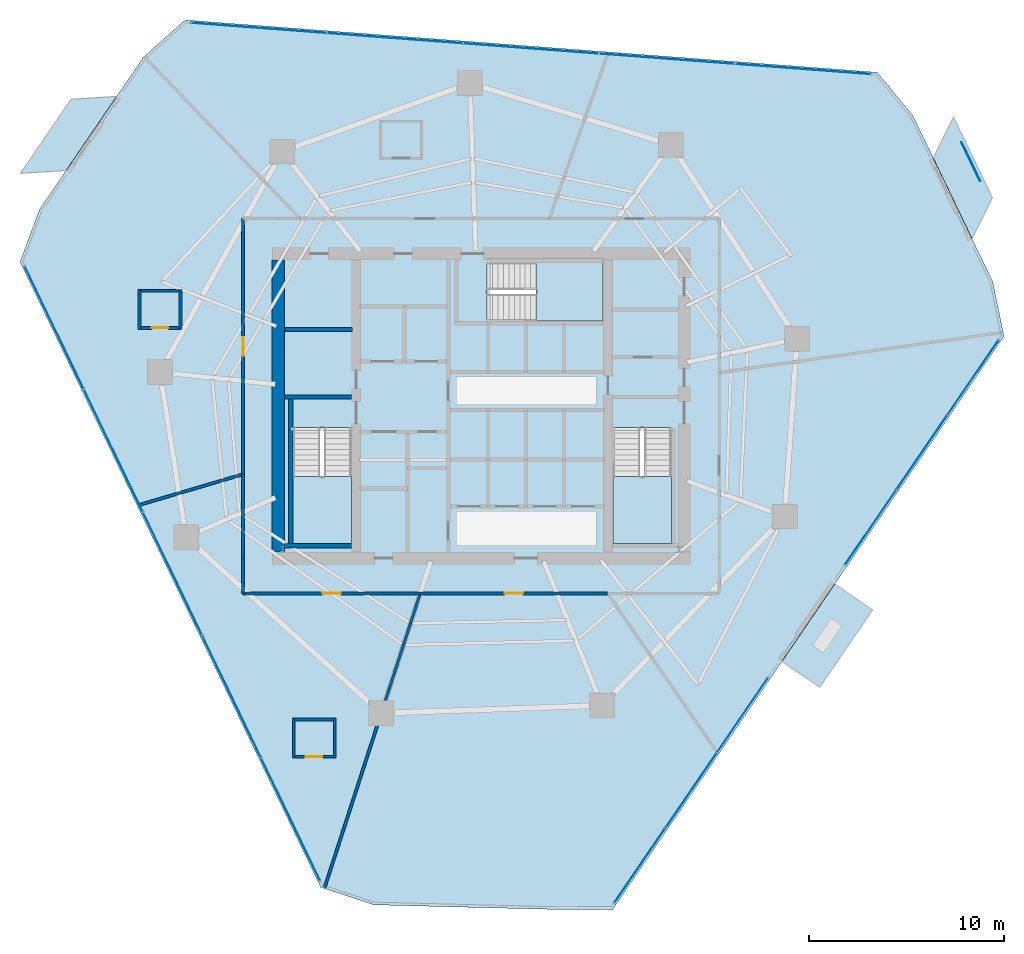
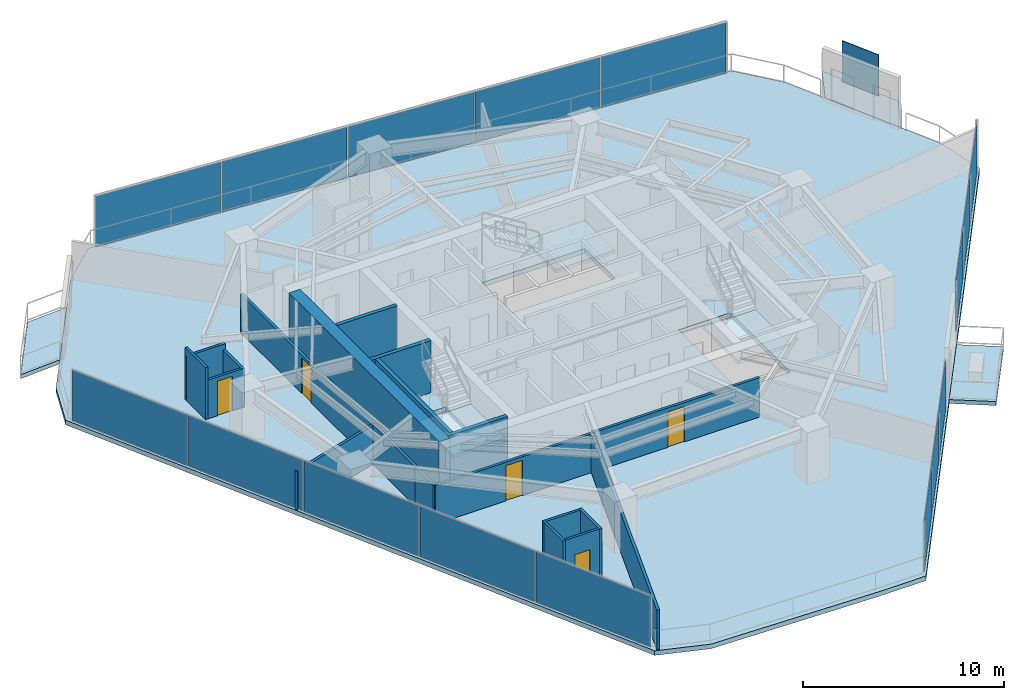
# One storey, part 25 of 30: 20 walls, 17 plates, 7 slabs, 5 doors, 5 openings, 7 elements without a shape of their own.
"""IFC4 building model written with IfcOpenShell, lengths in metres."""

from ifc_helpers import new_model, si_unit, direction, frame, frame_2d, origin, origin_2d, place, context, subcontext, project, spatial, polyline, rectangle, outline, extrude, material, layer, layer_set, type_object, element, fill, aggregate, save


model = new_model("IFC4")

# Units and contexts
model_context = context("Model", 3, precision=1e-05, world=origin(), true_north=direction((0.0, 1.0)))
body_context = subcontext(model_context, "Body", "Model", "MODEL_VIEW")
ifc_project = project(units=[si_unit("LENGTHUNIT", "METRE"), si_unit("AREAUNIT", "SQUARE_METRE"), si_unit("VOLUMEUNIT", "CUBIC_METRE"), si_unit("PLANEANGLEUNIT", "RADIAN"), si_unit("MASSUNIT", "GRAM", prefix="KILO")], contexts=[model_context])

# Site, building, storey
site_placement = place(None, origin())
site = spatial("IfcSite", under=ifc_project, at=site_placement, CompositionType="ELEMENT")
building_placement = place(site_placement, origin())
building = spatial("IfcBuilding", under=site, at=building_placement, Name="Qarnah Convention Tower", CompositionType="ELEMENT")
storey_placement = place(building_placement, frame((0.0, 0.0, 51.14990234375)))
storey = spatial("IfcBuildingStorey", under=building, at=storey_placement, Name="L12", CompositionType="ELEMENT", Elevation=51.14990234375)

# Curtain wall, plates
ifc_material_1 = material(Name="Tempered Low-E dark glass", Category="glass")
ifc_layer_1 = layer(ifc_material_1, 0.16796875)
ifc_layer_set_1 = layer_set([ifc_layer_1], Name="Tempered Low-E dark glass")
curtain_wall_type = type_object("IfcCurtainWallType", Name="CWS-01", PredefinedType="NOTDEFINED", material=ifc_layer_set_1)
curtain_wall_1_placement = place(storey_placement, origin())
curtain_wall_1 = element("IfcCurtainWall", 1, at=curtain_wall_1_placement, inside=storey, type_object=curtain_wall_type, Name="L12 unitised curtain wall CW-L12-F1", PredefinedType="NOTDEFINED")
ifc_layer_2 = layer(ifc_material_1, 0.028076171875)
ifc_layer_set_2 = layer_set([ifc_layer_2], Name="Tempered Low-E dark glass")
plate_type_1 = type_object("IfcPlateType", Name="PNL-T1", PredefinedType="CURTAIN_PANEL", material=ifc_layer_set_2)
plate_1_placement = place(storey_placement, frame((27.443115234375, 5.21240234375, 0.0400390625), z_axis=(0.0, 0.0, 1.0), x_axis=(-0.433348502492, 0.901226428479, 0.0)))
plate_1 = element("IfcPlate", 2, at=plate_1_placement, type_object=plate_type_1, Name="CW-L12-F1 curtain panel 1.1", PredefinedType="CURTAIN_PANEL", context=body_context, shape_type="SweptSolid", body=[
    extrude(rectangle(XDim=6.9111328125, YDim=0.028076171875, at=origin_2d()), origin(), (0.0, 0.0, 1.0), 3.090087890625),
])
plate_2_placement = place(storey_placement, frame((24.41357421875, 11.512939453125, 0.0400390625), z_axis=(0.0, 0.0, 1.0), x_axis=(-0.433348502492, 0.901226428479, 0.0)))
plate_2 = element("IfcPlate", 3, at=plate_2_placement, type_object=plate_type_1, Name="CW-L12-F1 curtain panel 2.1", PredefinedType="CURTAIN_PANEL", context=body_context, shape_type="SweptSolid", body=[
    extrude(rectangle(XDim=6.9111328125, YDim=0.028076171875, at=origin_2d()), origin(), (0.0, 0.0, 1.0), 3.090087890625),
])
plate_3_placement = place(storey_placement, frame((21.384033203125, 17.8134765625, 0.0400390625), z_axis=(0.0, 0.0, 1.0), x_axis=(-0.433348502492, 0.901226428479, 0.0)))
plate_3 = element("IfcPlate", 4, at=plate_3_placement, type_object=plate_type_1, Name="CW-L12-F1 curtain panel 3.1", PredefinedType="CURTAIN_PANEL", context=body_context, shape_type="SweptSolid", body=[
    extrude(rectangle(XDim=6.9111328125, YDim=0.028076171875, at=origin_2d()), origin(), (0.0, 0.0, 1.0), 3.090087890625),
])
plate_4_placement = place(storey_placement, frame((18.3544921875, 24.114013671875, 0.0400390625), z_axis=(0.0, 0.0, 1.0), x_axis=(-0.433348502492, 0.901226428479, 0.0)))
plate_4 = element("IfcPlate", 5, at=plate_4_placement, type_object=plate_type_1, Name="CW-L12-F1 curtain panel 4.1", PredefinedType="CURTAIN_PANEL", context=body_context, shape_type="SweptSolid", body=[
    extrude(rectangle(XDim=6.9111328125, YDim=0.028076171875, at=origin_2d()), origin(), (0.0, 0.0, 1.0), 3.090087890625),
])
plate_5_placement = place(storey_placement, frame((15.32470703125, 30.414794921875, 0.0400390625), z_axis=(0.0, 0.0, 1.0), x_axis=(-0.433348502492, 0.901226428479, 0.0)))
plate_5 = element("IfcPlate", 6, at=plate_5_placement, type_object=plate_type_1, Name="CW-L12-F1 curtain panel 5.1", PredefinedType="CURTAIN_PANEL", context=body_context, shape_type="SweptSolid", body=[
    extrude(rectangle(XDim=6.9111328125, YDim=0.028076171875, at=origin_2d()), origin(), (0.0, 0.0, 1.0), 3.090087890625),
])
aggregate(curtain_wall_1, [plate_1, plate_2, plate_3, plate_4, plate_5])

curtain_wall_2_placement = place(storey_placement, origin())
curtain_wall_2 = element("IfcCurtainWall", 7, at=curtain_wall_2_placement, inside=storey, type_object=curtain_wall_type, Name="L12 unitised curtain wall CW-L12-F2", PredefinedType="NOTDEFINED")
plate_6_placement = place(storey_placement, frame((25.8095703125, 45.772705078125, 0.0400390625), z_axis=(0.0, 0.0, 1.0), x_axis=(0.997159055393, -0.07532475189, 0.0)))
plate_6 = element("IfcPlate", 8, at=plate_6_placement, type_object=plate_type_1, Name="CW-L12-F2 curtain panel 1.1", PredefinedType="CURTAIN_PANEL", context=body_context, shape_type="SweptSolid", body=[
    extrude(rectangle(XDim=6.9111328125, YDim=0.028076171875, at=origin_2d()), origin(), (0.0, 0.0, 1.0), 3.090087890625),
])
plate_7_placement = place(storey_placement, frame((32.78076171875, 45.24609375, 0.0400390625), z_axis=(0.0, 0.0, 1.0), x_axis=(0.997159055393, -0.07532475189, 0.0)))
plate_7 = element("IfcPlate", 9, at=plate_7_placement, type_object=plate_type_1, Name="CW-L12-F2 curtain panel 2.1", PredefinedType="CURTAIN_PANEL", context=body_context, shape_type="SweptSolid", body=[
    extrude(rectangle(XDim=6.9111328125, YDim=0.028076171875, at=origin_2d()), origin(), (0.0, 0.0, 1.0), 3.090087890625),
])
plate_8_placement = place(storey_placement, frame((39.751953125, 44.719482421875, 0.0400390625), z_axis=(0.0, 0.0, 1.0), x_axis=(0.997159055393, -0.07532475189, 0.0)))
plate_8 = element("IfcPlate", 10, at=plate_8_placement, type_object=plate_type_1, Name="CW-L12-F2 curtain panel 3.1", PredefinedType="CURTAIN_PANEL", context=body_context, shape_type="SweptSolid", body=[
    extrude(rectangle(XDim=6.9111328125, YDim=0.028076171875, at=origin_2d()), origin(), (0.0, 0.0, 1.0), 3.090087890625),
])
plate_9_placement = place(storey_placement, frame((46.72314453125, 44.19287109375, 0.0400390625), z_axis=(0.0, 0.0, 1.0), x_axis=(0.997159055393, -0.07532475189, 0.0)))
plate_9 = element("IfcPlate", 11, at=plate_9_placement, type_object=plate_type_1, Name="CW-L12-F2 curtain panel 4.1", PredefinedType="CURTAIN_PANEL", context=body_context, shape_type="SweptSolid", body=[
    extrude(rectangle(XDim=6.9111328125, YDim=0.028076171875, at=origin_2d()), origin(), (0.0, 0.0, 1.0), 3.090087890625),
])
plate_10_placement = place(storey_placement, frame((53.6943359375, 43.666259765625, 0.0400390625), z_axis=(0.0, 0.0, 1.0), x_axis=(0.997159055393, -0.07532475189, 0.0)))
plate_10 = element("IfcPlate", 12, at=plate_10_placement, type_object=plate_type_1, Name="CW-L12-F2 curtain panel 5.1", PredefinedType="CURTAIN_PANEL", context=body_context, shape_type="SweptSolid", body=[
    extrude(rectangle(XDim=6.9111328125, YDim=0.028076171875, at=origin_2d()), origin(), (0.0, 0.0, 1.0), 3.090087890625),
])
aggregate(curtain_wall_2, [plate_6, plate_7, plate_8, plate_9, plate_10])

curtain_wall_3_placement = place(storey_placement, origin())
curtain_wall_3 = element("IfcCurtainWall", 13, at=curtain_wall_3_placement, inside=storey, type_object=curtain_wall_type, Name="L12 unitised curtain wall CW-L12-F3", PredefinedType="NOTDEFINED")
plate_11_placement = place(storey_placement, frame((62.408447265625, 27.868408203125, 0.0400390625), z_axis=(0.0, 0.0, 1.0), x_axis=(-0.563837988353, -0.825885417531, 0.0)))
plate_11 = element("IfcPlate", 14, at=plate_11_placement, type_object=plate_type_1, Name="CW-L12-F3 curtain panel 1.1", PredefinedType="CURTAIN_PANEL", context=body_context, shape_type="SweptSolid", body=[
    extrude(rectangle(XDim=4.583251953125, YDim=0.028076171875, at=origin_2d()), origin(), (0.0, 0.0, 1.0), 3.090087890625),
])
plate_12_placement = place(storey_placement, frame((59.779052734375, 24.01708984375, 0.0400390625), z_axis=(0.0, 0.0, 1.0), x_axis=(-0.563837988353, -0.825885417531, 0.0)))
plate_12 = element("IfcPlate", 15, at=plate_12_placement, type_object=plate_type_1, Name="CW-L12-F3 curtain panel 2.1", PredefinedType="CURTAIN_PANEL", context=body_context, shape_type="SweptSolid", body=[
    extrude(rectangle(XDim=4.583251953125, YDim=0.028076171875, at=origin_2d()), origin(), (0.0, 0.0, 1.0), 3.090087890625),
])
plate_13_placement = place(storey_placement, frame((57.149658203125, 20.165771484375, 0.0400390625), z_axis=(0.0, 0.0, 1.0), x_axis=(-0.563837988353, -0.825885417531, 0.0)))
plate_13 = element("IfcPlate", 16, at=plate_13_placement, type_object=plate_type_1, Name="CW-L12-F3 curtain panel 3.1", PredefinedType="CURTAIN_PANEL", context=body_context, shape_type="SweptSolid", body=[
    extrude(rectangle(XDim=4.583251953125, YDim=0.028076171875, at=origin_2d()), origin(), (0.0, 0.0, 1.0), 3.090087890625),
])
aggregate(curtain_wall_3, [plate_11, plate_12, plate_13])

curtain_wall_4_placement = place(storey_placement, origin())
curtain_wall_4 = element("IfcCurtainWall", 17, at=curtain_wall_4_placement, inside=storey, type_object=curtain_wall_type, Name="L12 unitised curtain wall CW-L12-F4", PredefinedType="NOTDEFINED")
plate_14_placement = place(storey_placement, frame((50.58837890625, 10.55419921875, 0.0400390625), z_axis=(0.0, 0.0, 1.0), x_axis=(-0.563804705, -0.825908139335, 0.0)))
plate_14 = element("IfcPlate", 18, at=plate_14_placement, type_object=plate_type_1, Name="CW-L12-F4 curtain panel 1.1", PredefinedType="CURTAIN_PANEL", context=body_context, shape_type="SweptSolid", body=[
    extrude(rectangle(XDim=4.58349609375, YDim=0.028076171875, at=origin_2d()), origin(), (0.0, 0.0, 1.0), 3.090087890625),
])
plate_15_placement = place(storey_placement, frame((47.958984375, 6.702392578125, 0.0400390625), z_axis=(0.0, 0.0, 1.0), x_axis=(-0.563804705, -0.825908139335, 0.0)))
plate_15 = element("IfcPlate", 19, at=plate_15_placement, type_object=plate_type_1, Name="CW-L12-F4 curtain panel 2.1", PredefinedType="CURTAIN_PANEL", context=body_context, shape_type="SweptSolid", body=[
    extrude(rectangle(XDim=4.58349609375, YDim=0.028076171875, at=origin_2d()), origin(), (0.0, 0.0, 1.0), 3.090087890625),
])
plate_16_placement = place(storey_placement, frame((45.32958984375, 2.850830078125, 0.0400390625), z_axis=(0.0, 0.0, 1.0), x_axis=(-0.563804705, -0.825908139335, 0.0)))
plate_16 = element("IfcPlate", 20, at=plate_16_placement, type_object=plate_type_1, Name="CW-L12-F4 curtain panel 3.1", PredefinedType="CURTAIN_PANEL", context=body_context, shape_type="SweptSolid", body=[
    extrude(rectangle(XDim=4.58349609375, YDim=0.028076171875, at=origin_2d()), origin(), (0.0, 0.0, 1.0), 3.090087890625),
])
aggregate(curtain_wall_4, [plate_14, plate_15, plate_16])

# Plate
ifc_material_2 = material(Name="Black anodised aluminium", Category="aluminium")
ifc_layer_3 = layer(ifc_material_2, 0.044921875)
ifc_layer_set_3 = layer_set([ifc_layer_3], Name="Black anodised aluminium")
plate_type_2 = type_object("IfcPlateType", Name="SCR-BAL-18", PredefinedType="USERDEFINED", material=ifc_layer_set_3)
plate_17_placement = place(storey_placement, frame((62.294921875, 38.924072265625, 0.0), z_axis=(0.0, 0.0, 1.0), x_axis=(0.433508101597, -0.901149668951, 0.0)))
element("IfcPlate", 21, at=plate_17_placement, inside=storey, type_object=plate_type_2, Name="L12 perforated desert solar screen BAL-L12-C1", ObjectType="SCREEN", PredefinedType="USERDEFINED", context=body_context, shape_type="SweptSolid", body=[
    extrude(rectangle(XDim=2.199951171875, YDim=0.044921875, at=origin_2d()), origin(), (0.0, 0.0, 1.0), 2.5),
])

# Slabs
ifc_material_3 = material(Name="Concrete C45/55", Category="concrete")
ifc_layer_4 = layer(ifc_material_3, 0.239990234375)
ifc_layer_set_4 = layer_set([ifc_layer_4], Name="Concrete C45/55")
slab_type_1 = type_object("IfcSlabType", Name="SLB-BAL-240", PredefinedType="USERDEFINED", material=ifc_layer_set_4)
slab_1_placement = place(storey_placement, frame((0.0, 0.0, -0.239990234375)))
element("IfcSlab", 22, at=slab_1_placement, inside=storey, type_object=slab_type_1, Name="L12 cantilevered balcony slab BAL-L12-C1", ObjectType="BALCONY", PredefinedType="USERDEFINED", context=body_context, shape_type="SweptSolid", body=[
    extrude(outline(polyline([(61.404052734375, 41.2119140625), (63.39794921875, 37.06689453125), (62.35791015625, 34.962890625), (60.364013671875, 39.10888671875), (61.404052734375, 41.2119140625)])), origin(), (0.0, 0.0, 1.0), 0.239990234375),
])
slab_2_placement = place(storey_placement, frame((0.0, 0.0, -0.239990234375)))
element("IfcSlab", 23, at=slab_2_placement, inside=storey, type_object=slab_type_1, Name="L12 cantilevered balcony slab BAL-L12-C2", ObjectType="BALCONY", PredefinedType="USERDEFINED", context=body_context, shape_type="SweptSolid", body=[
    extrude(outline(polyline([(13.594970703125, 38.318115234375), (16.18798828125, 42.116943359375), (18.530029296875, 42.26806640625), (15.93603515625, 38.468994140625), (13.594970703125, 38.318115234375)])), origin(), (0.0, 0.0, 1.0), 0.239990234375),
])
slab_3_placement = place(storey_placement, frame((0.0, 0.0, -0.239990234375)))
element("IfcSlab", 24, at=slab_3_placement, inside=storey, type_object=slab_type_1, Name="L12 cantilevered balcony slab VN-L12", ObjectType="BALCONY", PredefinedType="USERDEFINED", context=body_context, shape_type="SweptSolid", body=[
    extrude(outline(polyline([(55.318115234375, 17.27587890625), (57.259033203125, 15.950927734375), (54.552001953125, 11.987060546875), (52.612060546875, 13.31201171875), (55.318115234375, 17.27587890625)])), origin(), (0.0, 0.0, 1.0), 0.239990234375),
])

# Stair, slab
ifc_material_4 = material(Name="Concrete C50/60", Category="concrete")
stair_type = type_object("IfcStairType", Name="STR-HTL", PredefinedType="HALF_TURN_STAIR", material=ifc_material_4)
stair_1_placement = place(storey_placement, origin())
stair_1 = element("IfcStair", 25, at=stair_1_placement, inside=storey, type_object=stair_type, Name="L12 Core exit stair ST-1", PredefinedType="HALF_TURN_STAIR")
ifc_layer_5 = layer(ifc_material_4, 0.199951171875)
ifc_layer_set_5 = layer_set([ifc_layer_5], Name="Concrete C50/60")
slab_type_2 = type_object("IfcSlabType", Name="SLB-LANDING-200", PredefinedType="LANDING", material=ifc_layer_set_5)
slab_4_placement = place(storey_placement, frame((0.0, 0.0, 1.525146484375)))
slab_4 = element("IfcSlab", 26, at=slab_4_placement, type_object=slab_type_2, Name="ST-1 landing 1", PredefinedType="LANDING", context=body_context, shape_type="SweptSolid", body=[
    extrude(outline(polyline([(27.550048828125, 22.780029296875), (27.550048828125, 19.35009765625), (30.550048828125, 19.35009765625), (30.550048828125, 22.780029296875), (27.550048828125, 22.780029296875)])), origin(), (0.0, 0.0, 1.0), 0.199951171875),
])
aggregate(stair_1, [slab_4])

stair_2_placement = place(storey_placement, origin())
stair_2 = element("IfcStair", 27, at=stair_2_placement, inside=storey, type_object=stair_type, Name="L12 Core exit stair ST-2", PredefinedType="HALF_TURN_STAIR")
slab_5_placement = place(storey_placement, frame((0.0, 0.0, 1.525146484375)))
slab_5 = element("IfcSlab", 28, at=slab_5_placement, type_object=slab_type_2, Name="ST-2 landing 1", PredefinedType="LANDING", context=body_context, shape_type="SweptSolid", body=[
    extrude(outline(polyline([(43.949951171875, 22.780029296875), (43.949951171875, 19.35009765625), (46.949951171875, 19.35009765625), (46.949951171875, 22.780029296875), (43.949951171875, 22.780029296875)])), origin(), (0.0, 0.0, 1.0), 0.199951171875),
])
aggregate(stair_2, [slab_5])

stair_3_placement = place(storey_placement, origin())
stair_3 = element("IfcStair", 29, at=stair_3_placement, inside=storey, type_object=stair_type, Name="L12 Core exit stair ST-3", PredefinedType="HALF_TURN_STAIR")
slab_6_placement = place(storey_placement, frame((0.0, 0.0, 1.525146484375)))
slab_6 = element("IfcSlab", 30, at=slab_6_placement, type_object=slab_type_2, Name="ST-3 landing 1", PredefinedType="LANDING", context=body_context, shape_type="SweptSolid", body=[
    extrude(outline(polyline([(40.02001953125, 30.75), (43.449951171875, 30.75), (43.449951171875, 33.75), (40.02001953125, 33.75), (40.02001953125, 30.75)])), origin(), (0.0, 0.0, 1.0), 0.199951171875),
])
aggregate(stair_3, [slab_6])

# Slab
ifc_layer_6 = layer(ifc_material_3, 0.280029296875)
ifc_layer_set_6 = layer_set([ifc_layer_6], Name="Concrete C45/55")
slab_type_3 = type_object("IfcSlabType", Name="SLB-TWR-280", PredefinedType="FLOOR", material=ifc_layer_set_6)
slab_7_placement = place(storey_placement, frame((0.0, 0.0, -0.27978515625)))
element("IfcSlab", 31, at=slab_7_placement, inside=storey, type_object=slab_type_3, Name="L12 structural floor slab", PredefinedType="FLOOR", context=body_context, shape_type="SweptSolid", body=[
    extrude(outline(polyline([(57.488037109375, 43.5), (22.033935546875, 46.177978515625), (19.89306640625, 44.27099609375), (14.568115234375, 36.471923828125), (13.572021484375, 33.782958984375), (28.97998046875, 1.739990234375), (31.701904296875, 0.839111328125), (41.118896484375, 0.60009765625), (43.945068359375, 0.610107421875), (63.990966796875, 29.97412109375), (63.410888671875, 32.781982421875), (59.318115234375, 41.29296875), (57.488037109375, 43.5)]), holes=[polyline([(27.550048828125, 25.300048828125), (27.550048828125, 19.35009765625), (30.550048828125, 19.35009765625), (30.550048828125, 25.300048828125), (27.550048828125, 25.300048828125)]), polyline([(43.949951171875, 25.300048828125), (43.949951171875, 19.35009765625), (46.949951171875, 19.35009765625), (46.949951171875, 25.300048828125), (43.949951171875, 25.300048828125)]), polyline([(37.5, 30.75), (43.449951171875, 30.75), (43.449951171875, 33.75), (37.5, 33.75), (37.5, 30.75)])]), origin(), (0.0, 0.0, 1.0), 0.27978515625),
])

# Walls
ifc_material_5 = material(Name="Concrete C60/75", Category="concrete")
ifc_layer_7 = layer(ifc_material_5, 0.64990234375)
ifc_layer_set_7 = layer_set([ifc_layer_7], Name="Concrete C60/75")
wall_type_1 = type_object("IfcWallType", Name="WL-CORE-650", PredefinedType="SHEAR", material=ifc_layer_set_7)
wall_1_placement = place(storey_placement, frame((26.800048828125, 18.925048828125, 0.0), z_axis=(0.0, 0.0, 1.0), x_axis=(0.0, 1.0, 0.0)))
element("IfcWall", 32, at=wall_1_placement, inside=storey, type_object=wall_type_1, Name="L12 core west shear wall", PredefinedType="SHEAR", context=body_context, shape_type="SweptSolid", body=[
    extrude(rectangle(XDim=14.949951171875, YDim=0.64990234375, at=frame_2d((7.47509765625, 0.0))), origin(), (0.0, 0.0, 1.0), 3.170166015625),
])
ifc_layer_8 = layer(ifc_material_3, 0.199951171875)
ifc_layer_set_8 = layer_set([ifc_layer_8], Name="Concrete C45/55")
wall_type_2 = type_object("IfcWallType", Name="WL-CORE-PART-200", PredefinedType="SOLIDWALL", material=ifc_layer_set_8)
wall_2_placement = place(storey_placement, frame((27.14990234375, 30.320068359375, 0.0), z_axis=(0.0, 0.0, 1.0), x_axis=(1.0, 0.0, 0.0)))
element("IfcWall", 33, at=wall_2_placement, inside=storey, type_object=wall_type_2, Name="L12 interior wall IW-L12-ELRN", PredefinedType="SOLIDWALL", context=body_context, shape_type="SweptSolid", body=[
    extrude(rectangle(XDim=3.4501953125, YDim=0.199951171875, at=frame_2d((1.72509765625, 0.0))), origin(), (0.0, 0.0, 1.0), 3.170166015625),
])
ifc_layer_9 = layer(ifc_material_5, 0.219970703125)
ifc_layer_set_9 = layer_set([ifc_layer_9], Name="Concrete C60/75")
wall_type_3 = type_object("IfcWallType", Name="WL-CORE-STAIR-220", PredefinedType="SHEAR", material=ifc_layer_set_9)
wall_3_placement = place(storey_placement, frame((27.125, 26.860107421875, 0.0), z_axis=(0.0, 0.0, 1.0), x_axis=(1.0, 0.0, 0.0)))
element("IfcWall", 34, at=wall_3_placement, inside=storey, type_object=wall_type_3, Name="L12 stair shaft shear wall SW-L12-ST1N", PredefinedType="SHEAR", context=body_context, shape_type="SweptSolid", body=[
    extrude(rectangle(XDim=3.425048828125, YDim=0.219970703125, at=frame_2d((1.71240234375, 0.0))), origin(), (0.0, 0.0, 1.0), 3.170166015625),
])
wall_4_placement = place(storey_placement, frame((27.43994140625, 19.35009765625, 0.0), z_axis=(0.0, 0.0, 1.0), x_axis=(0.0, 1.0, 0.0)))
element("IfcWall", 35, at=wall_4_placement, inside=storey, type_object=wall_type_3, Name="L12 stair shaft shear wall SW-L12-ST1W", PredefinedType="SHEAR", context=body_context, shape_type="SweptSolid", body=[
    extrude(rectangle(XDim=7.39990234375, YDim=0.219970703125, at=frame_2d((3.699951171875, 0.0))), origin(), (0.0, 0.0, 1.0), 3.170166015625),
])
wall_5_placement = place(storey_placement, frame((27.125, 19.239990234375, 0.0), z_axis=(0.0, 0.0, 1.0), x_axis=(1.0, 0.0, 0.0)))
element("IfcWall", 36, at=wall_5_placement, inside=storey, type_object=wall_type_3, Name="L12 stair shaft shear wall SW-L12-ST1S", PredefinedType="SHEAR", context=body_context, shape_type="SweptSolid", body=[
    extrude(rectangle(XDim=3.425048828125, YDim=0.219970703125, at=frame_2d((1.71240234375, 0.0))), origin(), (0.0, 0.0, 1.0), 3.170166015625),
])
ifc_material_6 = material(Name="Gypsum partition board")
ifc_layer_10 = layer(ifc_material_6, 0.14990234375)
ifc_layer_set_10 = layer_set([ifc_layer_10], Name="Gypsum partition board")
wall_type_4 = type_object("IfcWallType", Name="WL-SUITE-150", PredefinedType="PARTITIONING", material=ifc_layer_set_10)
wall_6_placement = place(storey_placement, frame((19.652099609375, 21.320068359375, 0.0), z_axis=(0.0, 0.0, 1.0), x_axis=(0.958921677743, 0.283670964244, 0.0)))
element("IfcWall", 37, at=wall_6_placement, inside=storey, type_object=wall_type_4, Name="L12 interior wall IW-L12-R-20", PredefinedType="PARTITIONING", context=body_context, shape_type="SweptSolid", body=[
    extrude(rectangle(XDim=5.576904296875, YDim=0.14990234375, at=frame_2d((2.78857421875, 0.0))), origin(), (0.0, 0.0, 1.0), 2.35498046875),
])

# Wall, opening, door
wall_7_placement = place(storey_placement, frame((25.0, 22.902099609375, 0.0), z_axis=(0.0, 0.0, 1.0), x_axis=(0.0, 1.0, 0.0)))
wall_7 = element("IfcWall", 38, at=wall_7_placement, inside=storey, type_object=wall_type_4, Name="L12 interior wall IW-L12-R-21", PredefinedType="PARTITIONING", context=body_context, shape_type="SweptSolid", body=[
    extrude(rectangle(XDim=13.097900390625, YDim=0.14990234375, at=frame_2d((6.548828125, 0.0))), origin(), (0.0, 0.0, 1.0), 2.35498046875),
])
opening_1_placement = place(wall_7_placement, frame((6.073974609375, 0.0, 0.0)))
opening_1 = element("IfcOpeningElement", 39, at=opening_1_placement, cuts=wall_7, Name="Opening D-1219", PredefinedType="OPENING", context=body_context, shape_type="SweptSolid", body=[
    extrude(rectangle(XDim=0.949951171875, YDim=2.14990234375, at=frame_2d((0.47509765625, 1.074951171875))), frame((0.0, 0.0849609375, 0.0), z_axis=(0.0, -1.0, 0.0), x_axis=(1.0, 0.0, 0.0)), (0.0, 0.0, 1.0), 0.169921875),
])
ifc_material_7 = material(Name="Oak timber veneer", Category="wood")
door_type_1 = type_object("IfcDoorType", Name="DT-HOTEL-950", OperationType="NOTDEFINED", PredefinedType="DOOR", material=ifc_material_7)
door_1_placement = place(opening_1_placement, origin())
door_1 = element("IfcDoor", 40, at=door_1_placement, inside=storey, type_object=door_type_1, Name="Door D-1219", OperationType="SINGLE_SWING_LEFT", OverallHeight=2.14990234375, OverallWidth=0.949951171875, PredefinedType="DOOR", context=body_context, shape_type="SweptSolid", body=[
    extrude(rectangle(XDim=0.949951171875, YDim=2.14990234375, at=frame_2d((0.47509765625, 1.074951171875))), frame((0.0, 0.02490234375, 0.0), z_axis=(0.0, -1.0, 0.0), x_axis=(1.0, 0.0, 0.0)), (0.0, 0.0, 1.0), 0.050048828125),
])
fill(opening_1, door_1)

# Wall
wall_8_placement = place(storey_placement, frame((29.19091796875, 1.75390625, 0.0), z_axis=(0.0, 0.0, 1.0), x_axis=(0.309094097783, 0.951031460424, 0.0)))
element("IfcWall", 41, at=wall_8_placement, inside=storey, type_object=wall_type_4, Name="L12 interior wall IW-L12-R-24", PredefinedType="PARTITIONING", context=body_context, shape_type="SweptSolid", body=[
    extrude(rectangle(XDim=15.82080078125, YDim=0.14990234375, at=frame_2d((7.910400390625, 0.0))), origin(), (0.0, 0.0, 1.0), 2.39501953125),
])

# Wall, opening, door
wall_9_placement = place(storey_placement, frame((34.0810546875, 16.800048828125, 0.0), z_axis=(0.0, 0.0, 1.0), x_axis=(-1.0, 0.0, 0.0)))
wall_9 = element("IfcWall", 42, at=wall_9_placement, inside=storey, type_object=wall_type_4, Name="L12 interior wall IW-L12-R-25", PredefinedType="PARTITIONING", context=body_context, shape_type="SweptSolid", body=[
    extrude(rectangle(XDim=9.0810546875, YDim=0.14990234375, at=frame_2d((4.54052734375, 0.0))), origin(), (0.0, 0.0, 1.0), 2.35498046875),
])
opening_2_placement = place(wall_9_placement, frame((4.06591796875, 0.0, 0.0)))
opening_2 = element("IfcOpeningElement", 43, at=opening_2_placement, cuts=wall_9, Name="Opening D-1221", PredefinedType="OPENING", context=body_context, shape_type="SweptSolid", body=[
    extrude(rectangle(XDim=0.949951171875, YDim=2.14990234375, at=frame_2d((0.47509765625, 1.074951171875))), frame((0.0, 0.0849609375, 0.0), z_axis=(0.0, -1.0, 0.0), x_axis=(1.0, 0.0, 0.0)), (0.0, 0.0, 1.0), 0.169921875),
])
door_2_placement = place(opening_2_placement, origin())
door_2 = element("IfcDoor", 44, at=door_2_placement, inside=storey, type_object=door_type_1, Name="Door D-1221", OperationType="SINGLE_SWING_LEFT", OverallHeight=2.14990234375, OverallWidth=0.949951171875, PredefinedType="DOOR", context=body_context, shape_type="SweptSolid", body=[
    extrude(rectangle(XDim=0.949951171875, YDim=2.14990234375, at=frame_2d((0.47509765625, 1.074951171875))), frame((0.0, 0.02490234375, 0.0), z_axis=(0.0, -1.0, 0.0), x_axis=(1.0, 0.0, 0.0)), (0.0, 0.0, 1.0), 0.050048828125),
])
fill(opening_2, door_2)

# Walls
wall_10_placement = place(storey_placement, frame((25.0, 16.800048828125, 0.0), z_axis=(0.0, 0.0, 1.0), x_axis=(0.0, 1.0, 0.0)))
element("IfcWall", 45, at=wall_10_placement, inside=storey, type_object=wall_type_4, Name="L12 interior wall IW-L12-R-26", PredefinedType="PARTITIONING", context=body_context, shape_type="SweptSolid", body=[
    extrude(rectangle(XDim=1.800048828125, YDim=0.14990234375, at=frame_2d((0.89990234375, 0.0))), origin(), (0.0, 0.0, 1.0), 2.35498046875),
])
wall_11_placement = place(storey_placement, frame((25.0, 18.60009765625, 0.0), z_axis=(0.0, 0.0, 1.0), x_axis=(0.0, 1.0, 0.0)))
element("IfcWall", 46, at=wall_11_placement, inside=storey, type_object=wall_type_4, Name="L12 interior wall IW-L12-R-27", PredefinedType="PARTITIONING", context=body_context, shape_type="SweptSolid", body=[
    extrude(rectangle(XDim=4.302001953125, YDim=0.14990234375, at=frame_2d((2.15087890625, 0.0))), origin(), (0.0, 0.0, 1.0), 2.39501953125),
])

# Wall, opening, door
wall_12_placement = place(storey_placement, frame((43.675048828125, 16.800048828125, 0.0), z_axis=(0.0, 0.0, 1.0), x_axis=(-1.0, 0.0, 0.0)))
wall_12 = element("IfcWall", 47, at=wall_12_placement, inside=storey, type_object=wall_type_4, Name="L12 interior wall IW-L12-R-29", PredefinedType="PARTITIONING", context=body_context, shape_type="SweptSolid", body=[
    extrude(rectangle(XDim=9.593994140625, YDim=0.14990234375, at=frame_2d((4.796875, 0.0))), origin(), (0.0, 0.0, 1.0), 2.39501953125),
])
opening_3_placement = place(wall_12_placement, frame((4.322021484375, 0.0, 0.0)))
opening_3 = element("IfcOpeningElement", 48, at=opening_3_placement, cuts=wall_12, Name="Opening D-1223", PredefinedType="OPENING", context=body_context, shape_type="SweptSolid", body=[
    extrude(rectangle(XDim=0.949951171875, YDim=2.14990234375, at=frame_2d((0.47509765625, 1.074951171875))), frame((0.0, 0.0849609375, 0.0), z_axis=(0.0, -1.0, 0.0), x_axis=(1.0, 0.0, 0.0)), (0.0, 0.0, 1.0), 0.169921875),
])
door_3_placement = place(opening_3_placement, origin())
door_3 = element("IfcDoor", 49, at=door_3_placement, inside=storey, type_object=door_type_1, Name="Door D-1223", OperationType="SINGLE_SWING_LEFT", OverallHeight=2.14990234375, OverallWidth=0.949951171875, PredefinedType="DOOR", context=body_context, shape_type="SweptSolid", body=[
    extrude(rectangle(XDim=0.949951171875, YDim=2.14990234375, at=frame_2d((0.47509765625, 1.074951171875))), frame((0.0, 0.02490234375, 0.0), z_axis=(0.0, -1.0, 0.0), x_axis=(1.0, 0.0, 0.0)), (0.0, 0.0, 1.0), 0.050048828125),
])
fill(opening_3, door_3)

ifc_layer_11 = layer(ifc_material_6, 0.139892578125)
ifc_layer_set_11 = layer_set([ifc_layer_11], Name="Gypsum partition board")
wall_type_5 = type_object("IfcWallType", Name="WL-WET-140", PredefinedType="PARTITIONING", material=ifc_layer_set_11)
wall_13_placement = place(storey_placement, frame((19.6279296875, 30.39892578125, 0.0), z_axis=(0.0, 0.0, 1.0), x_axis=(1.0, 0.0, 0.0)))
wall_13 = element("IfcWall", 50, at=wall_13_placement, inside=storey, type_object=wall_type_5, Name="L12 interior wall IW-L12-ENS02-1", PredefinedType="PARTITIONING", context=body_context, shape_type="SweptSolid", body=[
    extrude(rectangle(XDim=2.239990234375, YDim=0.139892578125, at=frame_2d((1.1201171875, 0.0))), origin(), (0.0, 0.0, 1.0), 2.35498046875),
])
opening_4_placement = place(wall_13_placement, frame((0.695068359375, 0.0, 0.0)))
opening_4 = element("IfcOpeningElement", 51, at=opening_4_placement, cuts=wall_13, Name="Opening D-1220", PredefinedType="OPENING", context=body_context, shape_type="SweptSolid", body=[
    extrude(rectangle(XDim=0.85009765625, YDim=2.10009765625, at=frame_2d((0.425048828125, 1.050048828125))), frame((0.0, 0.079833984375, 0.0), z_axis=(0.0, -1.0, 0.0), x_axis=(1.0, 0.0, 0.0)), (0.0, 0.0, 1.0), 0.159912109375),
])
door_type_2 = type_object("IfcDoorType", Name="DT-BATH-850", OperationType="NOTDEFINED", PredefinedType="DOOR", material=ifc_material_7)
door_4_placement = place(opening_4_placement, origin())
door_4 = element("IfcDoor", 52, at=door_4_placement, inside=storey, type_object=door_type_2, Name="Door D-1220", OperationType="SINGLE_SWING_RIGHT", OverallHeight=2.10009765625, OverallWidth=0.85009765625, PredefinedType="DOOR", context=body_context, shape_type="SweptSolid", body=[
    extrude(rectangle(XDim=0.85009765625, YDim=2.10009765625, at=frame_2d((0.425048828125, 1.050048828125))), frame((0.0, 0.02490234375, 0.0), z_axis=(0.0, -1.0, 0.0), x_axis=(1.0, 0.0, 0.0)), (0.0, 0.0, 1.0), 0.050048828125),
])
fill(opening_4, door_4)

# Walls
wall_14_placement = place(storey_placement, frame((21.798095703125, 30.3291015625, 0.0), z_axis=(0.0, 0.0, 1.0), x_axis=(0.0, 1.0, 0.0)))
element("IfcWall", 53, at=wall_14_placement, inside=storey, type_object=wall_type_5, Name="L12 interior wall IW-L12-ENS02-2", PredefinedType="PARTITIONING", context=body_context, shape_type="SweptSolid", body=[
    extrude(rectangle(XDim=2.039794921875, YDim=0.139892578125, at=frame_2d((1.02001953125, 0.0))), origin(), (0.0, 0.0, 1.0), 2.35498046875),
])
wall_15_placement = place(storey_placement, frame((21.867919921875, 32.299072265625, 0.0), z_axis=(0.0, 0.0, 1.0), x_axis=(-1.0, 0.0, 0.0)))
element("IfcWall", 54, at=wall_15_placement, inside=storey, type_object=wall_type_5, Name="L12 interior wall IW-L12-ENS02-3", PredefinedType="PARTITIONING", context=body_context, shape_type="SweptSolid", body=[
    extrude(rectangle(XDim=2.239990234375, YDim=0.139892578125, at=frame_2d((1.1201171875, 0.0))), origin(), (0.0, 0.0, 1.0), 2.691162109375),
])
wall_16_placement = place(storey_placement, frame((19.697998046875, 32.368896484375, 0.0), z_axis=(0.0, 0.0, 1.0), x_axis=(0.0, -1.0, 0.0)))
element("IfcWall", 55, at=wall_16_placement, inside=storey, type_object=wall_type_5, Name="L12 interior wall IW-L12-ENS02-4", PredefinedType="PARTITIONING", context=body_context, shape_type="SweptSolid", body=[
    extrude(rectangle(XDim=2.039794921875, YDim=0.139892578125, at=frame_2d((1.02001953125, 0.0))), origin(), (0.0, 0.0, 1.0), 3.170166015625),
])

# Wall, opening, door
wall_17_placement = place(storey_placement, frame((27.52294921875, 8.43408203125, 0.0), z_axis=(0.0, 0.0, 1.0), x_axis=(1.0, 0.0, 0.0)))
wall_17 = element("IfcWall", 56, at=wall_17_placement, inside=storey, type_object=wall_type_5, Name="L12 interior wall IW-L12-ENS03-1", PredefinedType="PARTITIONING", context=body_context, shape_type="SweptSolid", body=[
    extrude(rectangle(XDim=2.239990234375, YDim=0.139892578125, at=frame_2d((1.1201171875, 0.0))), origin(), (0.0, 0.0, 1.0), 3.170166015625),
])
opening_5_placement = place(wall_17_placement, frame((0.695068359375, 0.0, 0.0)))
opening_5 = element("IfcOpeningElement", 57, at=opening_5_placement, cuts=wall_17, Name="Opening D-1222", PredefinedType="OPENING", context=body_context, shape_type="SweptSolid", body=[
    extrude(rectangle(XDim=0.85009765625, YDim=2.10009765625, at=frame_2d((0.425048828125, 1.050048828125))), frame((0.0, 0.079833984375, 0.0), z_axis=(0.0, -1.0, 0.0), x_axis=(1.0, 0.0, 0.0)), (0.0, 0.0, 1.0), 0.159912109375),
])
door_5_placement = place(opening_5_placement, origin())
door_5 = element("IfcDoor", 58, at=door_5_placement, inside=storey, type_object=door_type_2, Name="Door D-1222", OperationType="SINGLE_SWING_RIGHT", OverallHeight=2.10009765625, OverallWidth=0.85009765625, PredefinedType="DOOR", context=body_context, shape_type="SweptSolid", body=[
    extrude(rectangle(XDim=0.85009765625, YDim=2.10009765625, at=frame_2d((0.425048828125, 1.050048828125))), frame((0.0, 0.02490234375, 0.0), z_axis=(0.0, -1.0, 0.0), x_axis=(1.0, 0.0, 0.0)), (0.0, 0.0, 1.0), 0.050048828125),
])
fill(opening_5, door_5)

# Walls
wall_18_placement = place(storey_placement, frame((29.693115234375, 8.364013671875, 0.0), z_axis=(0.0, 0.0, 1.0), x_axis=(0.0, 1.0, 0.0)))
element("IfcWall", 59, at=wall_18_placement, inside=storey, type_object=wall_type_5, Name="L12 interior wall IW-L12-ENS03-2", PredefinedType="PARTITIONING", context=body_context, shape_type="SweptSolid", body=[
    extrude(rectangle(XDim=2.0400390625, YDim=0.139892578125, at=frame_2d((1.02001953125, 0.0))), origin(), (0.0, 0.0, 1.0), 3.170166015625),
])
wall_19_placement = place(storey_placement, frame((29.762939453125, 10.333984375, 0.0), z_axis=(0.0, 0.0, 1.0), x_axis=(-1.0, 0.0, 0.0)))
element("IfcWall", 60, at=wall_19_placement, inside=storey, type_object=wall_type_5, Name="L12 interior wall IW-L12-ENS03-3", PredefinedType="PARTITIONING", context=body_context, shape_type="SweptSolid", body=[
    extrude(rectangle(XDim=2.239990234375, YDim=0.139892578125, at=frame_2d((1.1201171875, 0.0))), origin(), (0.0, 0.0, 1.0), 3.170166015625),
])
wall_20_placement = place(storey_placement, frame((27.593017578125, 10.404052734375, 0.0), z_axis=(0.0, 0.0, 1.0), x_axis=(0.0, -1.0, 0.0)))
element("IfcWall", 61, at=wall_20_placement, inside=storey, type_object=wall_type_5, Name="L12 interior wall IW-L12-ENS03-4", PredefinedType="PARTITIONING", context=body_context, shape_type="SweptSolid", body=[
    extrude(rectangle(XDim=2.0400390625, YDim=0.139892578125, at=frame_2d((1.02001953125, 0.0))), origin(), (0.0, 0.0, 1.0), 3.170166015625),
])

save(model, "model.ifc")
